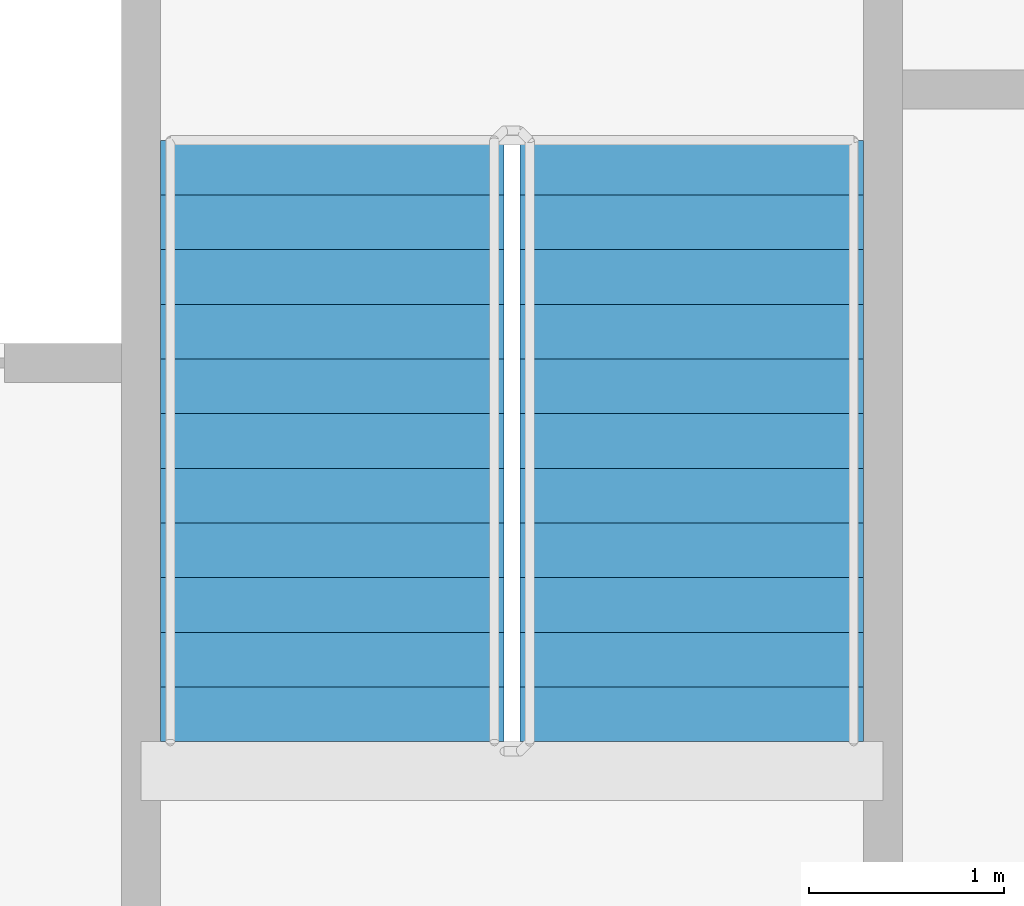
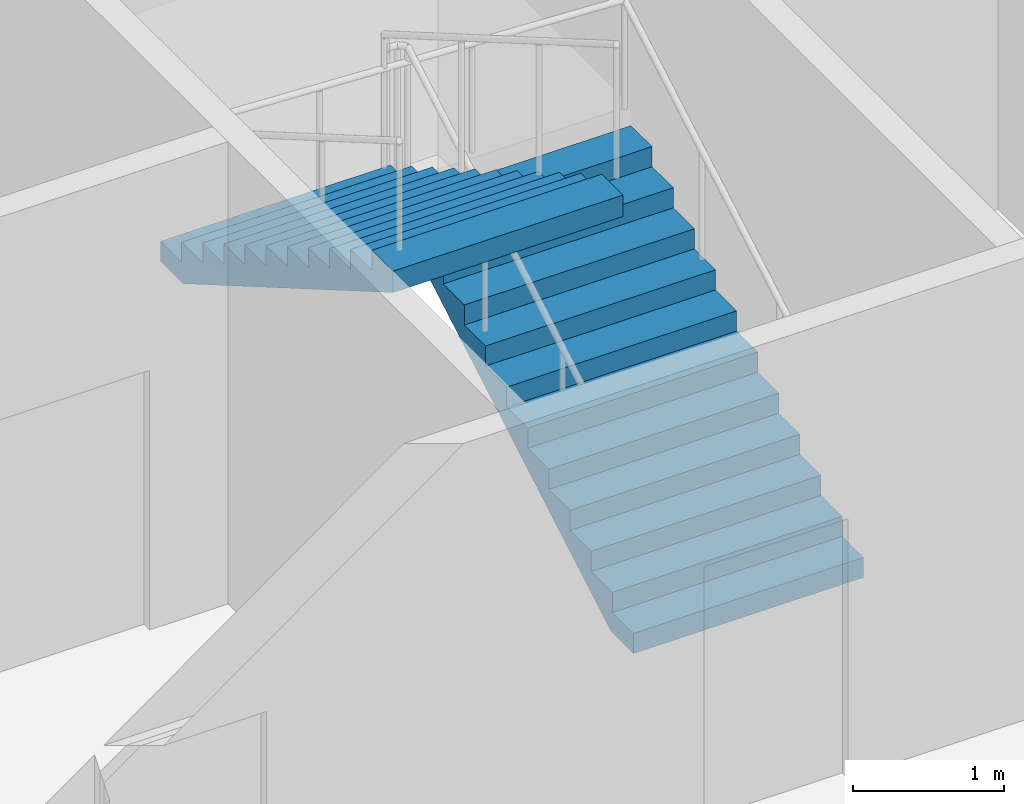
# One storey, part 17 of 23: 2 stair flights, 1 element without a shape of its own.
"""IFC4 building model written with IfcOpenShell, lengths in metres."""

from ifc_helpers import new_model, si_unit, direction, frame, origin, place, context, subcontext, project, spatial, faceted_brep, material, type_object, element, aggregate, save


model = new_model("IFC4")

# Units and contexts
model_context = context("Model", 3, precision=1e-05, world=origin(), true_north=direction((0.0, 1.0)))
body_context = subcontext(model_context, "Body", "Model", "MODEL_VIEW")
ifc_project = project(units=[si_unit("LENGTHUNIT", "METRE"), si_unit("AREAUNIT", "SQUARE_METRE"), si_unit("VOLUMEUNIT", "CUBIC_METRE"), si_unit("PLANEANGLEUNIT", "RADIAN"), si_unit("MASSUNIT", "GRAM", prefix="KILO")], contexts=[model_context])

# Site, building, storey
site_placement = place(None, origin())
site = spatial("IfcSite", under=ifc_project, at=site_placement, CompositionType="ELEMENT")
building_placement = place(site_placement, origin())
building = spatial("IfcBuilding", under=site, at=building_placement, Name="Tarsis Ring Headquarters", CompositionType="ELEMENT")
storey_placement = place(building_placement, frame((0.0, 0.0, 131.800048828125)))
storey = spatial("IfcBuildingStorey", under=building, at=storey_placement, Name="L30", CompositionType="ELEMENT", Elevation=131.800048828125)

# Stair, stair flights
ifc_material_1 = material(Name="Core stair 1760")
stair_type = type_object("IfcStairType", Name="Core stair 1760", PredefinedType="HALF_TURN_STAIR", material=ifc_material_1)
stair_placement = place(storey_placement, origin())
stair = element("IfcStair", 1, at=stair_placement, inside=storey, type_object=stair_type, Name="L30 Exit stair B", PredefinedType="HALF_TURN_STAIR")
ifc_material_2 = material(Name="Concrete C40/50", Category="concrete")
stair_flight_type = type_object("IfcStairFlightType", Name="Core stair flight 1760", PredefinedType="STRAIGHT", material=ifc_material_2)
stair_flight_1_placement = place(storey_placement, frame((5.419921875, 3.659912109375, 0.0), z_axis=(0.0, 0.0, 1.0), x_axis=(0.0, 1.0, 0.0)))
stair_flight_1 = element("IfcStairFlight", 2, at=stair_flight_1_placement, type_object=stair_flight_type, Name="Stair ST2 flight 1", NumberOfRisers=12, NumberOfTreads=11, PredefinedType="STRAIGHT", RiserHeight=0.1625, TreadLength=0.28, context=body_context, shape_type="Brep", body=[
    faceted_brep([(0.0, 0.8798828125, 0.0), (0.0, 0.8798828125, 0.16259765625), (0.280029296875, 0.8798828125, 0.16259765625), (0.280029296875, 0.8798828125, 0.324951171875), (0.56005859375, 0.8798828125, 0.324951171875), (0.56005859375, 0.8798828125, 0.487548828125), (0.840087890625, 0.8798828125, 0.487548828125), (0.840087890625, 0.8798828125, 0.64990234375), (1.1201171875, 0.8798828125, 0.64990234375), (1.1201171875, 0.8798828125, 0.8125), (1.39990234375, 0.8798828125, 0.8125), (1.39990234375, 0.8798828125, 0.97509765625), (1.679931640625, 0.8798828125, 0.97509765625), (1.679931640625, 0.8798828125, 1.137451171875), (1.9599609375, 0.8798828125, 1.137451171875), (1.9599609375, 0.8798828125, 1.300048828125), (2.239990234375, 0.8798828125, 1.300048828125), (2.239990234375, 0.8798828125, 1.46240234375), (2.52001953125, 0.8798828125, 1.46240234375), (2.52001953125, 0.8798828125, 1.625), (2.800048828125, 0.8798828125, 1.625), (2.800048828125, 0.8798828125, 1.78759765625), (3.080078125, 0.8798828125, 1.78759765625), (3.080078125, 0.8798828125, 1.6142578125), (0.298583984375, 0.8798828125, 0.0), (0.298583984375, -0.8798828125, 0.0), (3.080078125, -0.8798828125, 1.6142578125), (3.080078125, -0.8798828125, 1.78759765625), (2.800048828125, -0.8798828125, 1.78759765625), (2.800048828125, -0.8798828125, 1.625), (2.52001953125, -0.8798828125, 1.625), (2.52001953125, -0.8798828125, 1.46240234375), (2.239990234375, -0.8798828125, 1.46240234375), (2.239990234375, -0.8798828125, 1.300048828125), (1.9599609375, -0.8798828125, 1.300048828125), (1.9599609375, -0.8798828125, 1.137451171875), (1.679931640625, -0.8798828125, 1.137451171875), (1.679931640625, -0.8798828125, 0.97509765625), (1.39990234375, -0.8798828125, 0.97509765625), (1.39990234375, -0.8798828125, 0.8125), (1.1201171875, -0.8798828125, 0.8125), (1.1201171875, -0.8798828125, 0.64990234375), (0.840087890625, -0.8798828125, 0.64990234375), (0.840087890625, -0.8798828125, 0.487548828125), (0.56005859375, -0.8798828125, 0.487548828125), (0.56005859375, -0.8798828125, 0.324951171875), (0.280029296875, -0.8798828125, 0.324951171875), (0.280029296875, -0.8798828125, 0.16259765625), (0.0, -0.8798828125, 0.16259765625), (0.0, -0.8798828125, 0.0), (0.0, -0.43994140625, 0.16259765625), (0.0, -0.43994140625, 0.0), (0.0, 0.0, 0.16259765625), (0.0, 0.0, 0.0), (0.0, 0.43994140625, 0.16259765625), (0.0, 0.43994140625, 0.0), (0.280029296875, -0.43994140625, 0.16259765625), (0.280029296875, 0.0, 0.16259765625), (0.280029296875, 0.43994140625, 0.16259765625), (0.280029296875, -0.43994140625, 0.324951171875), (0.280029296875, 0.0, 0.324951171875), (0.280029296875, 0.43994140625, 0.324951171875), (0.56005859375, -0.43994140625, 0.324951171875), (0.56005859375, 0.0, 0.324951171875), (0.56005859375, 0.43994140625, 0.324951171875), (0.56005859375, -0.43994140625, 0.487548828125), (0.56005859375, 0.0, 0.487548828125), (0.56005859375, 0.43994140625, 0.487548828125), (0.840087890625, -0.43994140625, 0.487548828125), (0.840087890625, 0.0, 0.487548828125), (0.840087890625, 0.43994140625, 0.487548828125), (0.840087890625, -0.43994140625, 0.64990234375), (0.840087890625, 0.0, 0.64990234375), (0.840087890625, 0.43994140625, 0.64990234375), (1.1201171875, -0.43994140625, 0.64990234375), (1.1201171875, 0.0, 0.64990234375), (1.1201171875, 0.43994140625, 0.64990234375), (1.1201171875, -0.43994140625, 0.8125), (1.1201171875, 0.0, 0.8125), (1.1201171875, 0.43994140625, 0.8125), (1.39990234375, -0.43994140625, 0.8125), (1.39990234375, 0.0, 0.8125), (1.39990234375, 0.43994140625, 0.8125), (1.39990234375, -0.43994140625, 0.97509765625), (1.39990234375, 0.0, 0.97509765625), (1.39990234375, 0.43994140625, 0.97509765625), (1.679931640625, -0.43994140625, 0.97509765625), (1.679931640625, 0.0, 0.97509765625), (1.679931640625, 0.43994140625, 0.97509765625), (1.679931640625, -0.43994140625, 1.137451171875), (1.679931640625, 0.0, 1.137451171875), (1.679931640625, 0.43994140625, 1.137451171875), (1.9599609375, -0.43994140625, 1.137451171875), (1.9599609375, 0.0, 1.137451171875), (1.9599609375, 0.43994140625, 1.137451171875), (1.9599609375, -0.43994140625, 1.300048828125), (1.9599609375, 0.0, 1.300048828125), (1.9599609375, 0.43994140625, 1.300048828125), (2.239990234375, -0.43994140625, 1.300048828125), (2.239990234375, 0.0, 1.300048828125), (2.239990234375, 0.43994140625, 1.300048828125), (2.239990234375, -0.43994140625, 1.46240234375), (2.239990234375, 0.0, 1.46240234375), (2.239990234375, 0.43994140625, 1.46240234375), (2.52001953125, -0.43994140625, 1.46240234375), (2.52001953125, 0.0, 1.46240234375), (2.52001953125, 0.43994140625, 1.46240234375), (2.52001953125, -0.43994140625, 1.625), (2.52001953125, 0.0, 1.625), (2.52001953125, 0.43994140625, 1.625), (2.800048828125, -0.43994140625, 1.625), (2.800048828125, 0.0, 1.625), (2.800048828125, 0.43994140625, 1.625), (2.800048828125, -0.43994140625, 1.78759765625), (2.800048828125, 0.0, 1.78759765625), (2.800048828125, 0.43994140625, 1.78759765625), (3.080078125, -0.43994140625, 1.78759765625), (3.080078125, 0.0, 1.78759765625), (3.080078125, 0.43994140625, 1.78759765625), (3.080078125, -0.43994140625, 1.6142578125), (3.080078125, 0.0, 1.6142578125), (3.080078125, 0.43994140625, 1.6142578125), (0.298583984375, -0.43994140625, 0.0), (0.298583984375, 0.0, 0.0), (0.298583984375, 0.43994140625, 0.0)], [[[0, 1, 2, 3, 4, 5, 6, 7, 8, 9, 10, 11, 12, 13, 14, 15, 16, 17, 18, 19, 20, 21, 22, 23, 24]], [[25, 26, 27, 28, 29, 30, 31, 32, 33, 34, 35, 36, 37, 38, 39, 40, 41, 42, 43, 44, 45, 46, 47, 48, 49]], [[49, 48, 50, 51]], [[51, 50, 52, 53]], [[53, 52, 54, 55]], [[55, 54, 1, 0]], [[48, 47, 56, 50]], [[50, 56, 57, 52]], [[52, 57, 58, 54]], [[54, 58, 2, 1]], [[47, 46, 59, 56]], [[56, 59, 60, 57]], [[57, 60, 61, 58]], [[58, 61, 3, 2]], [[46, 45, 62, 59]], [[59, 62, 63, 60]], [[60, 63, 64, 61]], [[61, 64, 4, 3]], [[45, 44, 65, 62]], [[62, 65, 66, 63]], [[63, 66, 67, 64]], [[64, 67, 5, 4]], [[44, 43, 68, 65]], [[65, 68, 69, 66]], [[66, 69, 70, 67]], [[67, 70, 6, 5]], [[43, 42, 71, 68]], [[68, 71, 72, 69]], [[69, 72, 73, 70]], [[70, 73, 7, 6]], [[42, 41, 74, 71]], [[71, 74, 75, 72]], [[72, 75, 76, 73]], [[73, 76, 8, 7]], [[41, 40, 77, 74]], [[74, 77, 78, 75]], [[75, 78, 79, 76]], [[76, 79, 9, 8]], [[40, 39, 80, 77]], [[77, 80, 81, 78]], [[78, 81, 82, 79]], [[79, 82, 10, 9]], [[39, 38, 83, 80]], [[80, 83, 84, 81]], [[81, 84, 85, 82]], [[82, 85, 11, 10]], [[38, 37, 86, 83]], [[83, 86, 87, 84]], [[84, 87, 88, 85]], [[85, 88, 12, 11]], [[37, 36, 89, 86]], [[86, 89, 90, 87]], [[87, 90, 91, 88]], [[88, 91, 13, 12]], [[36, 35, 92, 89]], [[89, 92, 93, 90]], [[90, 93, 94, 91]], [[91, 94, 14, 13]], [[35, 34, 95, 92]], [[92, 95, 96, 93]], [[93, 96, 97, 94]], [[94, 97, 15, 14]], [[34, 33, 98, 95]], [[95, 98, 99, 96]], [[96, 99, 100, 97]], [[97, 100, 16, 15]], [[33, 32, 101, 98]], [[98, 101, 102, 99]], [[99, 102, 103, 100]], [[100, 103, 17, 16]], [[32, 31, 104, 101]], [[101, 104, 105, 102]], [[102, 105, 106, 103]], [[103, 106, 18, 17]], [[31, 30, 107, 104]], [[104, 107, 108, 105]], [[105, 108, 109, 106]], [[106, 109, 19, 18]], [[30, 29, 110, 107]], [[107, 110, 111, 108]], [[108, 111, 112, 109]], [[109, 112, 20, 19]], [[29, 28, 113, 110]], [[110, 113, 114, 111]], [[111, 114, 115, 112]], [[112, 115, 21, 20]], [[28, 27, 116, 113]], [[113, 116, 117, 114]], [[114, 117, 118, 115]], [[115, 118, 22, 21]], [[27, 26, 119, 116]], [[116, 119, 120, 117]], [[117, 120, 121, 118]], [[118, 121, 23, 22]], [[26, 25, 122, 119]], [[119, 122, 123, 120]], [[120, 123, 124, 121]], [[121, 124, 24, 23]], [[25, 49, 51, 122]], [[122, 51, 53, 123]], [[123, 53, 55, 124]], [[124, 55, 0, 24]]]),
])
stair_flight_2_placement = place(storey_placement, frame((3.580078125, 6.739990234375, 1.949951171875), z_axis=(0.0, 0.0, 1.0), x_axis=(0.0, -1.0, 0.0)))
stair_flight_2 = element("IfcStairFlight", 3, at=stair_flight_2_placement, type_object=stair_flight_type, Name="Stair ST2 flight 2", NumberOfRisers=12, NumberOfTreads=11, PredefinedType="STRAIGHT", RiserHeight=0.1625, TreadLength=0.28, context=body_context, shape_type="Brep", body=[
    faceted_brep([(0.0, 0.8798828125, 0.0), (0.0, 0.8798828125, 0.16259765625), (0.280029296875, 0.8798828125, 0.16259765625), (0.280029296875, 0.8798828125, 0.324951171875), (0.56005859375, 0.8798828125, 0.324951171875), (0.56005859375, 0.8798828125, 0.487548828125), (0.840087890625, 0.8798828125, 0.487548828125), (0.840087890625, 0.8798828125, 0.64990234375), (1.1201171875, 0.8798828125, 0.64990234375), (1.1201171875, 0.8798828125, 0.8125), (1.39990234375, 0.8798828125, 0.8125), (1.39990234375, 0.8798828125, 0.97509765625), (1.679931640625, 0.8798828125, 0.97509765625), (1.679931640625, 0.8798828125, 1.137451171875), (1.9599609375, 0.8798828125, 1.137451171875), (1.9599609375, 0.8798828125, 1.300048828125), (2.239990234375, 0.8798828125, 1.300048828125), (2.239990234375, 0.8798828125, 1.46240234375), (2.52001953125, 0.8798828125, 1.46240234375), (2.52001953125, 0.8798828125, 1.625), (2.800048828125, 0.8798828125, 1.625), (2.800048828125, 0.8798828125, 1.78759765625), (3.080078125, 0.8798828125, 1.78759765625), (3.080078125, 0.8798828125, 1.6142578125), (0.298583984375, 0.8798828125, 0.0), (0.298583984375, -0.8798828125, 0.0), (3.080078125, -0.8798828125, 1.6142578125), (3.080078125, -0.8798828125, 1.78759765625), (2.800048828125, -0.8798828125, 1.78759765625), (2.800048828125, -0.8798828125, 1.625), (2.52001953125, -0.8798828125, 1.625), (2.52001953125, -0.8798828125, 1.46240234375), (2.239990234375, -0.8798828125, 1.46240234375), (2.239990234375, -0.8798828125, 1.300048828125), (1.9599609375, -0.8798828125, 1.300048828125), (1.9599609375, -0.8798828125, 1.137451171875), (1.679931640625, -0.8798828125, 1.137451171875), (1.679931640625, -0.8798828125, 0.97509765625), (1.39990234375, -0.8798828125, 0.97509765625), (1.39990234375, -0.8798828125, 0.8125), (1.1201171875, -0.8798828125, 0.8125), (1.1201171875, -0.8798828125, 0.64990234375), (0.840087890625, -0.8798828125, 0.64990234375), (0.840087890625, -0.8798828125, 0.487548828125), (0.56005859375, -0.8798828125, 0.487548828125), (0.56005859375, -0.8798828125, 0.324951171875), (0.280029296875, -0.8798828125, 0.324951171875), (0.280029296875, -0.8798828125, 0.16259765625), (0.0, -0.8798828125, 0.16259765625), (0.0, -0.8798828125, 0.0), (0.0, -0.43994140625, 0.16259765625), (0.0, -0.43994140625, 0.0), (0.0, 0.0, 0.16259765625), (0.0, 0.0, 0.0), (0.0, 0.43994140625, 0.16259765625), (0.0, 0.43994140625, 0.0), (0.280029296875, -0.43994140625, 0.16259765625), (0.280029296875, 0.0, 0.16259765625), (0.280029296875, 0.43994140625, 0.16259765625), (0.280029296875, -0.43994140625, 0.324951171875), (0.280029296875, 0.0, 0.324951171875), (0.280029296875, 0.43994140625, 0.324951171875), (0.56005859375, -0.43994140625, 0.324951171875), (0.56005859375, 0.0, 0.324951171875), (0.56005859375, 0.43994140625, 0.324951171875), (0.56005859375, -0.43994140625, 0.487548828125), (0.56005859375, 0.0, 0.487548828125), (0.56005859375, 0.43994140625, 0.487548828125), (0.840087890625, -0.43994140625, 0.487548828125), (0.840087890625, 0.0, 0.487548828125), (0.840087890625, 0.43994140625, 0.487548828125), (0.840087890625, -0.43994140625, 0.64990234375), (0.840087890625, 0.0, 0.64990234375), (0.840087890625, 0.43994140625, 0.64990234375), (1.1201171875, -0.43994140625, 0.64990234375), (1.1201171875, 0.0, 0.64990234375), (1.1201171875, 0.43994140625, 0.64990234375), (1.1201171875, -0.43994140625, 0.8125), (1.1201171875, 0.0, 0.8125), (1.1201171875, 0.43994140625, 0.8125), (1.39990234375, -0.43994140625, 0.8125), (1.39990234375, 0.0, 0.8125), (1.39990234375, 0.43994140625, 0.8125), (1.39990234375, -0.43994140625, 0.97509765625), (1.39990234375, 0.0, 0.97509765625), (1.39990234375, 0.43994140625, 0.97509765625), (1.679931640625, -0.43994140625, 0.97509765625), (1.679931640625, 0.0, 0.97509765625), (1.679931640625, 0.43994140625, 0.97509765625), (1.679931640625, -0.43994140625, 1.137451171875), (1.679931640625, 0.0, 1.137451171875), (1.679931640625, 0.43994140625, 1.137451171875), (1.9599609375, -0.43994140625, 1.137451171875), (1.9599609375, 0.0, 1.137451171875), (1.9599609375, 0.43994140625, 1.137451171875), (1.9599609375, -0.43994140625, 1.300048828125), (1.9599609375, 0.0, 1.300048828125), (1.9599609375, 0.43994140625, 1.300048828125), (2.239990234375, -0.43994140625, 1.300048828125), (2.239990234375, 0.0, 1.300048828125), (2.239990234375, 0.43994140625, 1.300048828125), (2.239990234375, -0.43994140625, 1.46240234375), (2.239990234375, 0.0, 1.46240234375), (2.239990234375, 0.43994140625, 1.46240234375), (2.52001953125, -0.43994140625, 1.46240234375), (2.52001953125, 0.0, 1.46240234375), (2.52001953125, 0.43994140625, 1.46240234375), (2.52001953125, -0.43994140625, 1.625), (2.52001953125, 0.0, 1.625), (2.52001953125, 0.43994140625, 1.625), (2.800048828125, -0.43994140625, 1.625), (2.800048828125, 0.0, 1.625), (2.800048828125, 0.43994140625, 1.625), (2.800048828125, -0.43994140625, 1.78759765625), (2.800048828125, 0.0, 1.78759765625), (2.800048828125, 0.43994140625, 1.78759765625), (3.080078125, -0.43994140625, 1.78759765625), (3.080078125, 0.0, 1.78759765625), (3.080078125, 0.43994140625, 1.78759765625), (3.080078125, -0.43994140625, 1.6142578125), (3.080078125, 0.0, 1.6142578125), (3.080078125, 0.43994140625, 1.6142578125), (0.298583984375, -0.43994140625, 0.0), (0.298583984375, 0.0, 0.0), (0.298583984375, 0.43994140625, 0.0)], [[[0, 1, 2, 3, 4, 5, 6, 7, 8, 9, 10, 11, 12, 13, 14, 15, 16, 17, 18, 19, 20, 21, 22, 23, 24]], [[25, 26, 27, 28, 29, 30, 31, 32, 33, 34, 35, 36, 37, 38, 39, 40, 41, 42, 43, 44, 45, 46, 47, 48, 49]], [[49, 48, 50, 51]], [[51, 50, 52, 53]], [[53, 52, 54, 55]], [[55, 54, 1, 0]], [[48, 47, 56, 50]], [[50, 56, 57, 52]], [[52, 57, 58, 54]], [[54, 58, 2, 1]], [[47, 46, 59, 56]], [[56, 59, 60, 57]], [[57, 60, 61, 58]], [[58, 61, 3, 2]], [[46, 45, 62, 59]], [[59, 62, 63, 60]], [[60, 63, 64, 61]], [[61, 64, 4, 3]], [[45, 44, 65, 62]], [[62, 65, 66, 63]], [[63, 66, 67, 64]], [[64, 67, 5, 4]], [[44, 43, 68, 65]], [[65, 68, 69, 66]], [[66, 69, 70, 67]], [[67, 70, 6, 5]], [[43, 42, 71, 68]], [[68, 71, 72, 69]], [[69, 72, 73, 70]], [[70, 73, 7, 6]], [[42, 41, 74, 71]], [[71, 74, 75, 72]], [[72, 75, 76, 73]], [[73, 76, 8, 7]], [[41, 40, 77, 74]], [[74, 77, 78, 75]], [[75, 78, 79, 76]], [[76, 79, 9, 8]], [[40, 39, 80, 77]], [[77, 80, 81, 78]], [[78, 81, 82, 79]], [[79, 82, 10, 9]], [[39, 38, 83, 80]], [[80, 83, 84, 81]], [[81, 84, 85, 82]], [[82, 85, 11, 10]], [[38, 37, 86, 83]], [[83, 86, 87, 84]], [[84, 87, 88, 85]], [[85, 88, 12, 11]], [[37, 36, 89, 86]], [[86, 89, 90, 87]], [[87, 90, 91, 88]], [[88, 91, 13, 12]], [[36, 35, 92, 89]], [[89, 92, 93, 90]], [[90, 93, 94, 91]], [[91, 94, 14, 13]], [[35, 34, 95, 92]], [[92, 95, 96, 93]], [[93, 96, 97, 94]], [[94, 97, 15, 14]], [[34, 33, 98, 95]], [[95, 98, 99, 96]], [[96, 99, 100, 97]], [[97, 100, 16, 15]], [[33, 32, 101, 98]], [[98, 101, 102, 99]], [[99, 102, 103, 100]], [[100, 103, 17, 16]], [[32, 31, 104, 101]], [[101, 104, 105, 102]], [[102, 105, 106, 103]], [[103, 106, 18, 17]], [[31, 30, 107, 104]], [[104, 107, 108, 105]], [[105, 108, 109, 106]], [[106, 109, 19, 18]], [[30, 29, 110, 107]], [[107, 110, 111, 108]], [[108, 111, 112, 109]], [[109, 112, 20, 19]], [[29, 28, 113, 110]], [[110, 113, 114, 111]], [[111, 114, 115, 112]], [[112, 115, 21, 20]], [[28, 27, 116, 113]], [[113, 116, 117, 114]], [[114, 117, 118, 115]], [[115, 118, 22, 21]], [[27, 26, 119, 116]], [[116, 119, 120, 117]], [[117, 120, 121, 118]], [[118, 121, 23, 22]], [[26, 25, 122, 119]], [[119, 122, 123, 120]], [[120, 123, 124, 121]], [[121, 124, 24, 23]], [[25, 49, 51, 122]], [[122, 51, 53, 123]], [[123, 53, 55, 124]], [[124, 55, 0, 24]]]),
])
aggregate(stair, [stair_flight_1, stair_flight_2])

save(model, "model.ifc")
